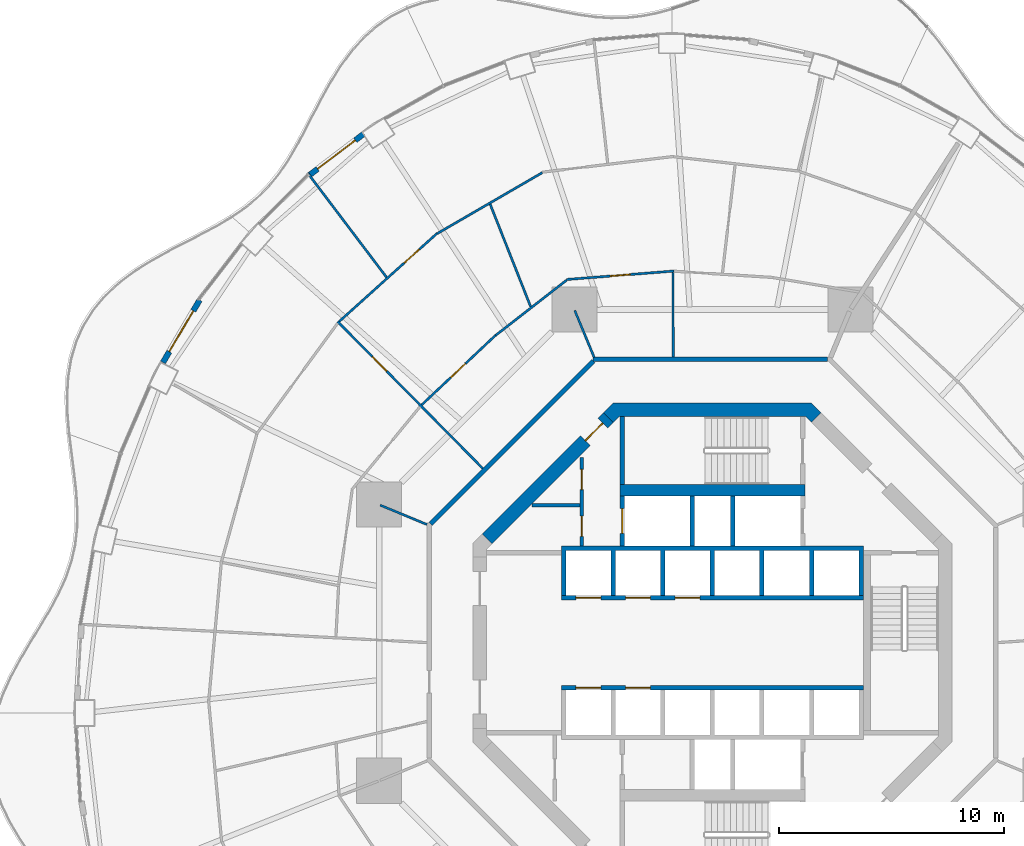
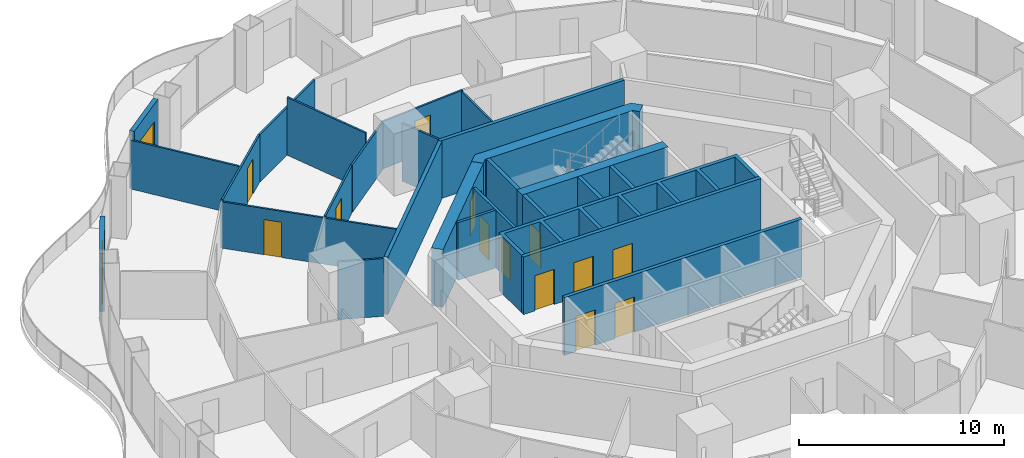
# One storey, part 15 of 20: 27 walls, 15 doors, 15 openings.
"""IFC4 building model written with IfcOpenShell, lengths in metres."""

from ifc_helpers import new_model, si_unit, direction, frame, frame_2d, origin, place, context, subcontext, project, spatial, polyline, rectangle, outline, extrude, material, layer, layer_set, type_object, element, fill, save


model = new_model("IFC4")

# Units and contexts
model_context = context("Model", 3, precision=1e-05, world=origin(), true_north=direction((0.0, 1.0)))
body_context = subcontext(model_context, "Body", "Model", "MODEL_VIEW")
ifc_project = project(units=[si_unit("LENGTHUNIT", "METRE"), si_unit("AREAUNIT", "SQUARE_METRE"), si_unit("VOLUMEUNIT", "CUBIC_METRE"), si_unit("PLANEANGLEUNIT", "RADIAN"), si_unit("MASSUNIT", "GRAM", prefix="KILO")], contexts=[model_context])

# Site, building, storey
site_placement = place(None, origin())
site = spatial("IfcSite", under=ifc_project, at=site_placement, CompositionType="ELEMENT")
building_placement = place(site_placement, origin())
building = spatial("IfcBuilding", under=site, at=building_placement, Name="Nagisa Residences", CompositionType="ELEMENT")
storey_placement = place(building_placement, frame((0.0, 0.0, 145.5)))
storey = spatial("IfcBuildingStorey", under=building, at=storey_placement, Name="L36", CompositionType="ELEMENT", Elevation=145.5)

# Walls
ifc_material_1 = material(Name="Gypsum board on steel studs", Category="steel")
ifc_layer_1 = layer(ifc_material_1, 0.199951171875)
ifc_layer_set_1 = layer_set([ifc_layer_1], Name="Apartment entry wall EI60 200")
wall_type_1 = type_object("IfcWallType", Name="Apartment entry wall EI60 200", PredefinedType="PARTITIONING", material=ifc_layer_set_1)
wall_1_placement = place(storey_placement, frame((5.1044921875, 12.564697265625, 0.0), z_axis=(0.0, 0.0, 1.0), x_axis=(-1.0, 0.0, 0.0)))
element("IfcWall", 1, at=wall_1_placement, inside=storey, type_object=wall_type_1, Name="wall:L36:u06", PredefinedType="PARTITIONING", context=body_context, shape_type="SweptSolid", body=[
    extrude(rectangle(XDim=10.408935546875, YDim=0.199951171875, at=frame_2d((5.20458984375, 0.0))), origin(), (0.0, 0.0, 1.0), 3.43994140625),
])
wall_2_placement = place(storey_placement, frame((-5.275146484375, 12.494140625, 0.0), z_axis=(0.0, 0.0, 1.0), x_axis=(-0.707106781187, -0.707106781187, 0.0)))
element("IfcWall", 2, at=wall_2_placement, inside=storey, type_object=wall_type_1, Name="wall:L36:u07", PredefinedType="PARTITIONING", context=body_context, shape_type="SweptSolid", body=[
    extrude(rectangle(XDim=10.209228515625, YDim=0.199951171875, at=frame_2d((5.1044921875, 0.0))), origin(), (0.0, 0.0, 1.0), 3.43994140625),
])
ifc_material_2 = material(Name="Gypsum board on steel studs", Category="steel")
ifc_layer_2 = layer(ifc_material_2, 0.10009765625)
ifc_layer_set_2 = layer_set([ifc_layer_2], Name="Apartment partition 100")
wall_type_2 = type_object("IfcWallType", Name="Apartment partition 100", PredefinedType="PARTITIONING", material=ifc_layer_set_2)
wall_3_placement = place(storey_placement, frame((-1.7353515625, 12.664794921875, 0.0), z_axis=(0.0, 0.0, 1.0), x_axis=(-0.004470314905, 0.999990008092, 0.0)))
element("IfcWall", 3, at=wall_3_placement, inside=storey, type_object=wall_type_2, Name="wall:L36:u34", PredefinedType="PARTITIONING", context=body_context, shape_type="SweptSolid", body=[
    extrude(rectangle(XDim=3.768310546875, YDim=0.10009765625, at=frame_2d((1.88427734375, 0.0))), origin(), (0.0, 0.0, 1.0), 2.756103515625),
])

# Wall, opening, door
wall_4_placement = place(storey_placement, frame((-1.70263671875, 16.487060546875, 0.0), z_axis=(0.0, 0.0, 1.0), x_axis=(-0.996909618175, -0.078557069641, 0.0)))
wall_4 = element("IfcWall", 4, at=wall_4_placement, inside=storey, type_object=wall_type_2, Name="wall:L36:u35", PredefinedType="PARTITIONING", context=body_context, shape_type="SweptSolid", body=[
    extrude(rectangle(XDim=4.7861328125, YDim=0.10009765625, at=frame_2d((2.39306640625, 0.0))), origin(), (0.0, 0.0, 1.0), 2.827880859375),
])
opening_1_placement = place(wall_4_placement, frame((1.943115234375, 0.0, 0.0)))
opening_1 = element("IfcOpeningElement", 5, at=opening_1_placement, cuts=wall_4, Name="Opening L36-U46", PredefinedType="OPENING", context=body_context, shape_type="SweptSolid", body=[
    extrude(rectangle(XDim=0.89990234375, YDim=2.10009765625, at=frame_2d((0.449951171875, 1.050048828125))), frame((0.0, 0.06005859375, 0.0), z_axis=(0.0, -1.0, 0.0), x_axis=(1.0, 0.0, 0.0)), (0.0, 0.0, 1.0), 0.1201171875),
])
ifc_material_3 = material(Name="Timber door set", Category="wood")
door_type_1 = type_object("IfcDoorType", Name="Apartment door 900x2100", OperationType="NOTDEFINED", PredefinedType="DOOR", material=ifc_material_3)
door_1_placement = place(opening_1_placement, origin())
door_1 = element("IfcDoor", 6, at=door_1_placement, inside=storey, type_object=door_type_1, Name="Door to laundry, Apartment 36B", OperationType="SINGLE_SWING_RIGHT", OverallHeight=2.10009765625, OverallWidth=0.89990234375, PredefinedType="DOOR", context=body_context, shape_type="SweptSolid", body=[
    extrude(rectangle(XDim=0.89990234375, YDim=2.10009765625, at=frame_2d((0.449951171875, 1.050048828125))), frame((0.0, 0.02490234375, 0.0), z_axis=(0.0, -1.0, 0.0), x_axis=(1.0, 0.0, 0.0)), (0.0, 0.0, 1.0), 0.050048828125),
])
fill(opening_1, door_1)

# Walls
wall_5_placement = place(storey_placement, frame((-5.24267578125, 12.6572265625, 0.0), z_axis=(0.0, 0.0, 1.0), x_axis=(-0.382719158442, 0.923864733477, 0.0)))
element("IfcWall", 7, at=wall_5_placement, inside=storey, type_object=wall_type_2, Name="wall:L36:u38", PredefinedType="PARTITIONING", context=body_context, shape_type="SweptSolid", body=[
    extrude(rectangle(XDim=2.25, YDim=0.10009765625, at=frame_2d((1.125, 0.0))), origin(), (0.0, 0.0, 1.0), 3.43994140625),
])
wall_6_placement = place(storey_placement, frame((-6.46337890625, 16.084228515625, 0.0), z_axis=(0.0, 0.0, 1.0), x_axis=(-0.789457442969, -0.613805299538, 0.0)))
element("IfcWall", 8, at=wall_6_placement, inside=storey, type_object=wall_type_2, Name="wall:L36:u39", PredefinedType="PARTITIONING", context=body_context, shape_type="SweptSolid", body=[
    extrude(rectangle(XDim=3.997314453125, YDim=0.10009765625, at=frame_2d((1.99853515625, 0.0))), origin(), (0.0, 0.0, 1.0), 2.827880859375),
])
wall_7_placement = place(storey_placement, frame((-7.54296875, 20.8525390625, 0.0), z_axis=(0.0, 0.0, 1.0), x_axis=(-0.865086194899, -0.501623240485, 0.0)))
element("IfcWall", 9, at=wall_7_placement, inside=storey, type_object=wall_type_2, Name="wall:L36:u40", PredefinedType="PARTITIONING", context=body_context, shape_type="SweptSolid", body=[
    extrude(rectangle(XDim=5.39306640625, YDim=0.10009765625, at=frame_2d((2.696533203125, 0.0))), origin(), (0.0, 0.0, 1.0), 2.827880859375),
])
wall_8_placement = place(storey_placement, frame((-8.0595703125, 14.904052734375, 0.0), z_axis=(0.0, 0.0, 1.0), x_axis=(-0.367532408503, 0.930010714293, 0.0)))
element("IfcWall", 10, at=wall_8_placement, inside=storey, type_object=wall_type_2, Name="wall:L36:u41", PredefinedType="PARTITIONING", context=body_context, shape_type="SweptSolid", body=[
    extrude(rectangle(XDim=4.8916015625, YDim=0.10009765625, at=frame_2d((2.44580078125, 0.0))), origin(), (0.0, 0.0, 1.0), 3.43994140625),
])

# Wall, opening, door
wall_9_placement = place(storey_placement, frame((-9.6220703125, 13.63427734375, 0.0), z_axis=(0.0, 0.0, 1.0), x_axis=(-0.727710859679, -0.685884031528, 0.0)))
wall_9 = element("IfcWall", 11, at=wall_9_placement, inside=storey, type_object=wall_type_2, Name="wall:L36:u42", PredefinedType="PARTITIONING", context=body_context, shape_type="SweptSolid", body=[
    extrude(rectangle(XDim=4.500244140625, YDim=0.10009765625, at=frame_2d((2.25, 0.0))), origin(), (0.0, 0.0, 1.0), 2.827880859375),
])
opening_2_placement = place(wall_9_placement, frame((1.8251953125, 0.0, 0.0)))
opening_2 = element("IfcOpeningElement", 12, at=opening_2_placement, cuts=wall_9, Name="Opening L36-U42", PredefinedType="OPENING", context=body_context, shape_type="SweptSolid", body=[
    extrude(rectangle(XDim=0.89990234375, YDim=2.10009765625, at=frame_2d((0.449951171875, 1.050048828125))), frame((0.0, 0.06005859375, 0.0), z_axis=(0.0, -1.0, 0.0), x_axis=(1.0, 0.0, 0.0)), (0.0, 0.0, 1.0), 0.1201171875),
])
door_2_placement = place(opening_2_placement, origin())
door_2 = element("IfcDoor", 13, at=door_2_placement, inside=storey, type_object=door_type_1, Name="Door to laundry, Apartment 36B", OperationType="SINGLE_SWING_RIGHT", OverallHeight=2.10009765625, OverallWidth=0.89990234375, PredefinedType="DOOR", context=body_context, shape_type="SweptSolid", body=[
    extrude(rectangle(XDim=0.89990234375, YDim=2.10009765625, at=frame_2d((0.449951171875, 1.050048828125))), frame((0.0, 0.02490234375, 0.0), z_axis=(0.0, -1.0, 0.0), x_axis=(1.0, 0.0, 0.0)), (0.0, 0.0, 1.0), 0.050048828125),
])
fill(opening_2, door_2)

wall_10_placement = place(storey_placement, frame((-12.214599609375, 18.155517578125, 0.0), z_axis=(0.0, 0.0, 1.0), x_axis=(-0.743159001815, -0.669114861606, 0.0)))
wall_10 = element("IfcWall", 14, at=wall_10_placement, inside=storey, type_object=wall_type_2, Name="wall:L36:u43", PredefinedType="PARTITIONING", context=body_context, shape_type="SweptSolid", body=[
    extrude(rectangle(XDim=5.83935546875, YDim=0.10009765625, at=frame_2d((2.919677734375, 0.0))), origin(), (0.0, 0.0, 1.0), 2.827880859375),
])
opening_3_placement = place(wall_10_placement, frame((1.059814453125, 0.0, 0.0)))
opening_3 = element("IfcOpeningElement", 15, at=opening_3_placement, cuts=wall_10, Name="Opening L36-U41", PredefinedType="OPENING", context=body_context, shape_type="SweptSolid", body=[
    extrude(rectangle(XDim=0.89990234375, YDim=2.10009765625, at=frame_2d((0.449951171875, 1.050048828125))), frame((0.0, 0.06005859375, 0.0), z_axis=(0.0, -1.0, 0.0), x_axis=(1.0, 0.0, 0.0)), (0.0, 0.0, 1.0), 0.1201171875),
])
door_3_placement = place(opening_3_placement, frame((0.89990234375, 0.0, 0.0), x_axis=(-1.0, 0.0, 0.0)))
door_3 = element("IfcDoor", 16, at=door_3_placement, inside=storey, type_object=door_type_1, Name="Door to living room, Apartment 36B", OperationType="SINGLE_SWING_RIGHT", OverallHeight=2.10009765625, OverallWidth=0.89990234375, PredefinedType="DOOR", context=body_context, shape_type="SweptSolid", body=[
    extrude(rectangle(XDim=0.89990234375, YDim=2.10009765625, at=frame_2d((0.449951171875, 1.050048828125))), frame((0.0, 0.02490234375, 0.0), z_axis=(0.0, -1.0, 0.0), x_axis=(1.0, 0.0, 0.0)), (0.0, 0.0, 1.0), 0.050048828125),
])
fill(opening_3, door_3)

# Wall
wall_11_placement = place(storey_placement, frame((-14.451904296875, 16.208251953125, 0.0), z_axis=(0.0, 0.0, 1.0), x_axis=(-0.603267974074, 0.797538557975, 0.0)))
element("IfcWall", 17, at=wall_11_placement, inside=storey, type_object=wall_type_2, Name="wall:L36:u44", PredefinedType="PARTITIONING", context=body_context, shape_type="SweptSolid", body=[
    extrude(rectangle(XDim=5.764404296875, YDim=0.10009765625, at=frame_2d((2.88232421875, 0.0))), origin(), (0.0, 0.0, 1.0), 2.905029296875),
])

# Wall, opening, door
wall_12_placement = place(storey_placement, frame((-10.181640625, 7.72900390625, 0.0), z_axis=(0.0, 0.0, 1.0), x_axis=(-0.702927211734, 0.711261790766, 0.0)))
wall_12 = element("IfcWall", 18, at=wall_12_placement, inside=storey, type_object=wall_type_2, Name="wall:L36:u45", PredefinedType="PARTITIONING", context=body_context, shape_type="SweptSolid", body=[
    extrude(rectangle(XDim=9.16845703125, YDim=0.10009765625, at=frame_2d((4.584228515625, 0.0))), origin(), (0.0, 0.0, 1.0), 2.756103515625),
])
opening_4_placement = place(wall_12_placement, frame((6.066650390625, 0.0, 0.0)))
opening_4 = element("IfcOpeningElement", 19, at=opening_4_placement, cuts=wall_12, Name="Opening L36-U40", PredefinedType="OPENING", context=body_context, shape_type="SweptSolid", body=[
    extrude(rectangle(XDim=0.89990234375, YDim=2.10009765625, at=frame_2d((0.449951171875, 1.050048828125))), frame((0.0, 0.06005859375, 0.0), z_axis=(0.0, -1.0, 0.0), x_axis=(1.0, 0.0, 0.0)), (0.0, 0.0, 1.0), 0.1201171875),
])
door_4_placement = place(opening_4_placement, frame((0.89990234375, 0.0, 0.0), x_axis=(-1.0, 0.0, 0.0)))
door_4 = element("IfcDoor", 20, at=door_4_placement, inside=storey, type_object=door_type_1, Name="Door to kitchen, Apartment 36B", OperationType="SINGLE_SWING_LEFT", OverallHeight=2.10009765625, OverallWidth=0.89990234375, PredefinedType="DOOR", context=body_context, shape_type="SweptSolid", body=[
    extrude(rectangle(XDim=0.89990234375, YDim=2.10009765625, at=frame_2d((0.449951171875, 1.050048828125))), frame((0.0, 0.02490234375, 0.0), z_axis=(0.0, -1.0, 0.0), x_axis=(1.0, 0.0, 0.0)), (0.0, 0.0, 1.0), 0.050048828125),
])
fill(opening_4, door_4)

# Wall
wall_13_placement = place(storey_placement, frame((-12.6572265625, 5.24267578125, 0.0), z_axis=(0.0, 0.0, 1.0), x_axis=(-0.923864733477, 0.382719158442, 0.0)))
element("IfcWall", 21, at=wall_13_placement, inside=storey, type_object=wall_type_2, Name="wall:L36:u48", PredefinedType="PARTITIONING", context=body_context, shape_type="SweptSolid", body=[
    extrude(rectangle(XDim=2.25, YDim=0.10009765625, at=frame_2d((1.125, 0.0))), origin(), (0.0, 0.0, 1.0), 3.43994140625),
])

# Wall, opening, door
ifc_material_4 = material(Name="Precast concrete C40/50", Category="concrete")
ifc_layer_3 = layer(ifc_material_4, 0.25)
ifc_layer_set_3 = layer_set([ifc_layer_3], Name="BALCONY DOOR WALL 250")
wall_type_3 = type_object("IfcWallType", Name="BALCONY DOOR WALL 250", PredefinedType="SOLIDWALL", material=ifc_layer_set_3)
wall_14_placement = place(storey_placement, frame((-17.8779296875, 20.738037109375, 0.0), z_axis=(0.0, 0.0, 1.0), x_axis=(0.796022231079, 0.605267385233, 0.0)))
wall_14 = element("IfcWall", 22, at=wall_14_placement, inside=storey, type_object=wall_type_3, Name="wall:L36:bay16", PredefinedType="SOLIDWALL", context=body_context, shape_type="SweptSolid", body=[
    extrude(rectangle(XDim=3.025634765625, YDim=0.25, at=frame_2d((1.5126953125, 0.0))), origin(), (0.0, 0.0, 1.0), 3.43994140625),
])
opening_5_placement = place(wall_14_placement, frame((0.462646484375, 0.0, 0.0)))
opening_5 = element("IfcOpeningElement", 23, at=opening_5_placement, cuts=wall_14, Name="Opening BD-L36-06", PredefinedType="OPENING", context=body_context, shape_type="SweptSolid", body=[
    extrude(rectangle(XDim=2.10009765625, YDim=2.39990234375, at=frame_2d((1.050048828125, 1.199951171875))), frame((0.0, 0.135009765625, 0.0), z_axis=(0.0, -1.0, 0.0), x_axis=(1.0, 0.0, 0.0)), (0.0, 0.0, 1.0), 0.27001953125),
])
ifc_material_5 = material(Name="Aluminium and clear glass", Category="aluminium")
door_type_2 = type_object("IfcDoorType", Name="BALCONY SLIDING DOOR 2100x2400", OperationType="SLIDING_TO_LEFT", PredefinedType="DOOR", material=ifc_material_5)
door_5_placement = place(opening_5_placement, origin())
door_5 = element("IfcDoor", 24, at=door_5_placement, inside=storey, type_object=door_type_2, Name="door:L36:bay16", OperationType="SLIDING_TO_LEFT", OverallHeight=2.39990234375, OverallWidth=2.10009765625, PredefinedType="DOOR", context=body_context, shape_type="SweptSolid", body=[
    extrude(rectangle(XDim=2.10009765625, YDim=2.39990234375, at=frame_2d((1.050048828125, 1.199951171875))), frame((0.0, 0.02490234375, 0.0), z_axis=(0.0, -1.0, 0.0), x_axis=(1.0, 0.0, 0.0)), (0.0, 0.0, 1.0), 0.050048828125),
])
fill(opening_5, door_5)

wall_15_placement = place(storey_placement, frame((-24.368408203125, 12.433837890625, 0.0), z_axis=(0.0, 0.0, 1.0), x_axis=(0.506314982873, 0.862348617508, 0.0)))
wall_15 = element("IfcWall", 25, at=wall_15_placement, inside=storey, type_object=wall_type_3, Name="wall:L36:bay19", PredefinedType="SOLIDWALL", context=body_context, shape_type="SweptSolid", body=[
    extrude(rectangle(XDim=3.20849609375, YDim=0.25, at=frame_2d((1.604248046875, 0.0))), origin(), (0.0, 0.0, 1.0), 3.43994140625),
])
opening_6_placement = place(wall_15_placement, frame((0.55419921875, 0.0, 0.0)))
opening_6 = element("IfcOpeningElement", 26, at=opening_6_placement, cuts=wall_15, Name="Opening BD-L36-07", PredefinedType="OPENING", context=body_context, shape_type="SweptSolid", body=[
    extrude(rectangle(XDim=2.10009765625, YDim=2.39990234375, at=frame_2d((1.050048828125, 1.199951171875))), frame((0.0, 0.135009765625, 0.0), z_axis=(0.0, -1.0, 0.0), x_axis=(1.0, 0.0, 0.0)), (0.0, 0.0, 1.0), 0.27001953125),
])
door_6_placement = place(opening_6_placement, origin())
door_6 = element("IfcDoor", 27, at=door_6_placement, inside=storey, type_object=door_type_2, Name="door:L36:bay19", OperationType="SLIDING_TO_LEFT", OverallHeight=2.39990234375, OverallWidth=2.10009765625, PredefinedType="DOOR", context=body_context, shape_type="SweptSolid", body=[
    extrude(rectangle(XDim=2.10009765625, YDim=2.39990234375, at=frame_2d((1.050048828125, 1.199951171875))), frame((0.0, 0.02490234375, 0.0), z_axis=(0.0, -1.0, 0.0), x_axis=(1.0, 0.0, 0.0)), (0.0, 0.0, 1.0), 0.050048828125),
])
fill(opening_6, door_6)

# Wall, openings, doors
ifc_material_6 = material(Name="Gypsum board on steel studs", Category="steel")
ifc_layer_4 = layer(ifc_material_6, 0.14990234375)
ifc_layer_set_4 = layer_set([ifc_layer_4], Name="Core partition 150")
wall_type_4 = type_object("IfcWallType", Name="Core partition 150", PredefinedType="PARTITIONING", material=ifc_layer_set_4)
wall_16_placement = place(storey_placement, frame((-5.800048828125, 4.300048828125, 0.0), z_axis=(0.0, 0.0, 1.0), x_axis=(0.0, 1.0, 0.0)))
wall_16 = element("IfcWall", 28, at=wall_16_placement, inside=storey, type_object=wall_type_4, Name="wall:L36:NWp", PredefinedType="PARTITIONING", context=body_context, shape_type="SweptSolid", body=[
    extrude(rectangle(XDim=3.927001953125, YDim=0.14990234375, at=frame_2d((1.96337890625, 0.0))), origin(), (0.0, 0.0, 1.0), 3.43994140625),
])
opening_7_placement = place(wall_16_placement, frame((0.41259765625, 0.0, 0.0)))
opening_7 = element("IfcOpeningElement", 29, at=opening_7_placement, cuts=wall_16, Name="Opening L36-C12", PredefinedType="OPENING", context=body_context, shape_type="SweptSolid", body=[
    extrude(rectangle(XDim=0.89990234375, YDim=2.10009765625, at=frame_2d((0.449951171875, 1.050048828125))), frame((0.0, 0.0849609375, 0.0), z_axis=(0.0, -1.0, 0.0), x_axis=(1.0, 0.0, 0.0)), (0.0, 0.0, 1.0), 0.169921875),
])
opening_8_placement = place(wall_16_placement, frame((2.488525390625, 0.0, 0.0)))
opening_8 = element("IfcOpeningElement", 30, at=opening_8_placement, cuts=wall_16, Name="Opening L36-C13", PredefinedType="OPENING", context=body_context, shape_type="SweptSolid", body=[
    extrude(rectangle(XDim=0.89990234375, YDim=2.10009765625, at=frame_2d((0.449951171875, 1.050048828125))), frame((0.0, 0.0849609375, 0.0), z_axis=(0.0, -1.0, 0.0), x_axis=(1.0, 0.0, 0.0)), (0.0, 0.0, 1.0), 0.169921875),
])
ifc_material_7 = material(Name="Steel fire door", Category="steel")
door_type_3 = type_object("IfcDoorType", Name="Fire door EI30 900x2100 single swing", OperationType="NOTDEFINED", PredefinedType="DOOR", material=ifc_material_7)
door_7_placement = place(opening_7_placement, origin())
door_7 = element("IfcDoor", 31, at=door_7_placement, inside=storey, type_object=door_type_3, Name="Linen store door L36", OperationType="SINGLE_SWING_RIGHT", OverallHeight=2.10009765625, OverallWidth=0.89990234375, PredefinedType="DOOR", context=body_context, shape_type="SweptSolid", body=[
    extrude(rectangle(XDim=0.89990234375, YDim=2.10009765625, at=frame_2d((0.449951171875, 1.050048828125))), frame((0.0, 0.02490234375, 0.0), z_axis=(0.0, -1.0, 0.0), x_axis=(1.0, 0.0, 0.0)), (0.0, 0.0, 1.0), 0.050048828125),
])
fill(opening_7, door_7)
door_8_placement = place(opening_8_placement, origin())
door_8 = element("IfcDoor", 32, at=door_8_placement, inside=storey, type_object=door_type_3, Name="Refuse room door L36", OperationType="SINGLE_SWING_RIGHT", OverallHeight=2.10009765625, OverallWidth=0.89990234375, PredefinedType="DOOR", context=body_context, shape_type="SweptSolid", body=[
    extrude(rectangle(XDim=0.89990234375, YDim=2.10009765625, at=frame_2d((0.449951171875, 1.050048828125))), frame((0.0, 0.02490234375, 0.0), z_axis=(0.0, -1.0, 0.0), x_axis=(1.0, 0.0, 0.0)), (0.0, 0.0, 1.0), 0.050048828125),
])
fill(opening_8, door_8)

# Wall
wall_17_placement = place(storey_placement, frame((-8.0009765625, 6.10009765625, 0.0), z_axis=(0.0, 0.0, 1.0), x_axis=(1.0, 0.0, 0.0)))
element("IfcWall", 33, at=wall_17_placement, inside=storey, type_object=wall_type_4, Name="wall:L36:NWq", PredefinedType="PARTITIONING", context=body_context, shape_type="SweptSolid", body=[
    extrude(rectangle(XDim=2.1259765625, YDim=0.14990234375, at=frame_2d((1.06298828125, 0.0))), origin(), (0.0, 0.0, 1.0), 3.43994140625),
])

# Wall, opening, door
ifc_material_8 = material(Name="Concrete C60", Category="concrete")
ifc_layer_5 = layer(ifc_material_8, 0.60009765625)
ifc_layer_set_5 = layer_set([ifc_layer_5], Name="Core shear wall 600")
wall_type_5 = type_object("IfcWallType", Name="Core shear wall 600", PredefinedType="SHEAR", material=ifc_layer_set_5)
wall_18_placement = place(storey_placement, frame((-4.613037109375, 9.98828125, 0.0), z_axis=(0.0, 0.0, 1.0), x_axis=(-0.707106781187, -0.707106781187, 0.0)))
wall_18 = element("IfcWall", 34, at=wall_18_placement, inside=storey, type_object=wall_type_5, Name="wall:L36:core:flat3", PredefinedType="SHEAR", context=body_context, shape_type="SweptSolid", body=[
    extrude(rectangle(XDim=7.601806640625, YDim=0.60009765625, at=frame_2d((3.80078125, 0.0))), origin(), (0.0, 0.0, 1.0), 3.43994140625),
])
opening_9_placement = place(wall_18_placement, frame((0.350830078125, 0.0, 0.0)))
opening_9 = element("IfcOpeningElement", 35, at=opening_9_placement, cuts=wall_18, Name="Opening L36-C20", PredefinedType="OPENING", context=body_context, shape_type="SweptSolid", body=[
    extrude(rectangle(XDim=1.10009765625, YDim=2.10009765625, at=frame_2d((0.550048828125, 1.050048828125))), frame((0.0, 0.31005859375, 0.0), z_axis=(0.0, -1.0, 0.0), x_axis=(1.0, 0.0, 0.0)), (0.0, 0.0, 1.0), 0.6201171875),
])
ifc_material_9 = material(Name="Steel fire door", Category="steel")
door_type_4 = type_object("IfcDoorType", Name="Fire door EI60 1100x2100 single swing", OperationType="NOTDEFINED", PredefinedType="DOOR", material=ifc_material_9)
door_9_placement = place(opening_9_placement, origin())
door_9 = element("IfcDoor", 36, at=door_9_placement, inside=storey, type_object=door_type_4, Name="Service lobby door L36", OperationType="SINGLE_SWING_LEFT", OverallHeight=2.10009765625, OverallWidth=1.10009765625, PredefinedType="DOOR", context=body_context, shape_type="SweptSolid", body=[
    extrude(rectangle(XDim=1.10009765625, YDim=2.10009765625, at=frame_2d((0.550048828125, 1.050048828125))), frame((0.0, 0.02490234375, 0.0), z_axis=(0.0, -1.0, 0.0), x_axis=(1.0, 0.0, 0.0)), (0.0, 0.0, 1.0), 0.050048828125),
])
fill(opening_9, door_9)

# Wall
wall_19_placement = place(storey_placement, origin())
element("IfcWall", 37, at=wall_19_placement, inside=storey, type_object=wall_type_5, Name="wall:L36:core:flat2", PredefinedType="SHEAR", context=body_context, shape_type="SweptSolid", body=[
    extrude(outline(polyline([(-4.15234375, 10.024658203125), (-4.40087890625, 9.776123046875), (-4.8251953125, 10.200439453125), (-4.40087890625, 10.62451171875), (4.40087890625, 10.62451171875), (4.8251953125, 10.200439453125), (4.40087890625, 9.776123046875), (4.15234375, 10.024658203125), (-4.15234375, 10.024658203125)])), origin(), (0.0, 0.0, 1.0), 3.43994140625),
])

# Wall, opening, door
ifc_material_10 = material(Name="Concrete C60", Category="concrete")
ifc_layer_6 = layer(ifc_material_10, 0.199951171875)
ifc_layer_set_6 = layer_set([ifc_layer_6], Name="Lift shaft wall 200")
wall_type_6 = type_object("IfcWallType", Name="Lift shaft wall 200", PredefinedType="SOLIDWALL", material=ifc_layer_set_6)
wall_20_placement = place(storey_placement, frame((-4.0, 4.300048828125, 0.0), z_axis=(0.0, 0.0, 1.0), x_axis=(0.0, 1.0, 0.0)))
wall_20 = element("IfcWall", 38, at=wall_20_placement, inside=storey, type_object=wall_type_6, Name="wall:L36:Nb4", PredefinedType="SOLIDWALL", context=body_context, shape_type="SweptSolid", body=[
    extrude(rectangle(XDim=2.199951171875, YDim=0.199951171875, at=frame_2d((1.10009765625, 0.0))), origin(), (0.0, 0.0, 1.0), 3.43994140625),
])
opening_10_placement = place(wall_20_placement, frame((0.550048828125, 0.0, 0.0)))
opening_10 = element("IfcOpeningElement", 39, at=opening_10_placement, cuts=wall_20, Name="Opening L36-C08", PredefinedType="OPENING", context=body_context, shape_type="SweptSolid", body=[
    extrude(rectangle(XDim=1.10009765625, YDim=2.10009765625, at=frame_2d((0.550048828125, 1.050048828125))), frame((0.0, 0.10986328125, 0.0), z_axis=(0.0, -1.0, 0.0), x_axis=(1.0, 0.0, 0.0)), (0.0, 0.0, 1.0), 0.219970703125),
])
ifc_material_11 = material(Name="Stainless steel", Category="steel")
door_type_5 = type_object("IfcDoorType", Name="Lift landing door 1100x2100", OperationType="DOUBLE_DOOR_SLIDING", PredefinedType="DOOR", material=ifc_material_11)
door_10_placement = place(opening_10_placement, origin())
door_10 = element("IfcDoor", 40, at=door_10_placement, inside=storey, type_object=door_type_5, Name="Landing door SV L36", OperationType="DOUBLE_DOOR_SLIDING", OverallHeight=2.10009765625, OverallWidth=1.10009765625, PredefinedType="DOOR", context=body_context, shape_type="SweptSolid", body=[
    extrude(rectangle(XDim=1.10009765625, YDim=2.10009765625, at=frame_2d((0.550048828125, 1.050048828125))), frame((0.0, 0.02490234375, 0.0), z_axis=(0.0, -1.0, 0.0), x_axis=(1.0, 0.0, 0.0)), (0.0, 0.0, 1.0), 0.050048828125),
])
fill(opening_10, door_10)

# Wall, openings, doors
wall_21_placement = place(storey_placement, frame((-6.699951171875, 2.0, 0.0), z_axis=(0.0, 0.0, 1.0), x_axis=(1.0, 0.0, 0.0)))
wall_21 = element("IfcWall", 41, at=wall_21_placement, inside=storey, type_object=wall_type_6, Name="wall:L36:Nfront", PredefinedType="SOLIDWALL", context=body_context, shape_type="SweptSolid", body=[
    extrude(rectangle(XDim=13.39990234375, YDim=0.199951171875, at=frame_2d((6.699951171875, 0.0))), origin(), (0.0, 0.0, 1.0), 3.43994140625),
])
opening_11_placement = place(wall_21_placement, frame((0.64990234375, 0.0, 0.0)))
opening_11 = element("IfcOpeningElement", 42, at=opening_11_placement, cuts=wall_21, Name="Opening L36-C01", PredefinedType="OPENING", context=body_context, shape_type="SweptSolid", body=[
    extrude(rectangle(XDim=1.10009765625, YDim=2.10009765625, at=frame_2d((0.550048828125, 1.050048828125))), frame((0.0, 0.10986328125, 0.0), z_axis=(0.0, -1.0, 0.0), x_axis=(1.0, 0.0, 0.0)), (0.0, 0.0, 1.0), 0.219970703125),
])
opening_12_placement = place(wall_21_placement, frame((2.85009765625, 0.0, 0.0)))
opening_12 = element("IfcOpeningElement", 43, at=opening_12_placement, cuts=wall_21, Name="Opening L36-C02", PredefinedType="OPENING", context=body_context, shape_type="SweptSolid", body=[
    extrude(rectangle(XDim=1.10009765625, YDim=2.10009765625, at=frame_2d((0.550048828125, 1.050048828125))), frame((0.0, 0.10986328125, 0.0), z_axis=(0.0, -1.0, 0.0), x_axis=(1.0, 0.0, 0.0)), (0.0, 0.0, 1.0), 0.219970703125),
])
opening_13_placement = place(wall_21_placement, frame((5.050048828125, 0.0, 0.0)))
opening_13 = element("IfcOpeningElement", 44, at=opening_13_placement, cuts=wall_21, Name="Opening L36-C03", PredefinedType="OPENING", context=body_context, shape_type="SweptSolid", body=[
    extrude(rectangle(XDim=1.10009765625, YDim=2.10009765625, at=frame_2d((0.550048828125, 1.050048828125))), frame((0.0, 0.10986328125, 0.0), z_axis=(0.0, -1.0, 0.0), x_axis=(1.0, 0.0, 0.0)), (0.0, 0.0, 1.0), 0.219970703125),
])
door_11_placement = place(opening_11_placement, origin())
door_11 = element("IfcDoor", 45, at=door_11_placement, inside=storey, type_object=door_type_5, Name="Landing door A1 L36", OperationType="DOUBLE_DOOR_SLIDING", OverallHeight=2.10009765625, OverallWidth=1.10009765625, PredefinedType="DOOR", context=body_context, shape_type="SweptSolid", body=[
    extrude(rectangle(XDim=1.10009765625, YDim=2.10009765625, at=frame_2d((0.550048828125, 1.050048828125))), frame((0.0, 0.02490234375, 0.0), z_axis=(0.0, -1.0, 0.0), x_axis=(1.0, 0.0, 0.0)), (0.0, 0.0, 1.0), 0.050048828125),
])
fill(opening_11, door_11)
door_12_placement = place(opening_12_placement, origin())
door_12 = element("IfcDoor", 46, at=door_12_placement, inside=storey, type_object=door_type_5, Name="Landing door A2 L36", OperationType="DOUBLE_DOOR_SLIDING", OverallHeight=2.10009765625, OverallWidth=1.10009765625, PredefinedType="DOOR", context=body_context, shape_type="SweptSolid", body=[
    extrude(rectangle(XDim=1.10009765625, YDim=2.10009765625, at=frame_2d((0.550048828125, 1.050048828125))), frame((0.0, 0.02490234375, 0.0), z_axis=(0.0, -1.0, 0.0), x_axis=(1.0, 0.0, 0.0)), (0.0, 0.0, 1.0), 0.050048828125),
])
fill(opening_12, door_12)
door_13_placement = place(opening_13_placement, origin())
door_13 = element("IfcDoor", 47, at=door_13_placement, inside=storey, type_object=door_type_5, Name="Landing door A3 L36", OperationType="DOUBLE_DOOR_SLIDING", OverallHeight=2.10009765625, OverallWidth=1.10009765625, PredefinedType="DOOR", context=body_context, shape_type="SweptSolid", body=[
    extrude(rectangle(XDim=1.10009765625, YDim=2.10009765625, at=frame_2d((0.550048828125, 1.050048828125))), frame((0.0, 0.02490234375, 0.0), z_axis=(0.0, -1.0, 0.0), x_axis=(1.0, 0.0, 0.0)), (0.0, 0.0, 1.0), 0.050048828125),
])
fill(opening_13, door_13)

wall_22_placement = place(storey_placement, frame((-6.699951171875, -2.0, 0.0), z_axis=(0.0, 0.0, 1.0), x_axis=(1.0, 0.0, 0.0)))
wall_22 = element("IfcWall", 48, at=wall_22_placement, inside=storey, type_object=wall_type_6, Name="wall:L36:Sfront", PredefinedType="SOLIDWALL", context=body_context, shape_type="SweptSolid", body=[
    extrude(rectangle(XDim=13.39990234375, YDim=0.199951171875, at=frame_2d((6.699951171875, 0.0))), origin(), (0.0, 0.0, 1.0), 3.43994140625),
])
opening_14_placement = place(wall_22_placement, frame((0.64990234375, 0.0, 0.0)))
opening_14 = element("IfcOpeningElement", 49, at=opening_14_placement, cuts=wall_22, Name="Opening L36-C04", PredefinedType="OPENING", context=body_context, shape_type="SweptSolid", body=[
    extrude(rectangle(XDim=1.10009765625, YDim=2.10009765625, at=frame_2d((0.550048828125, 1.050048828125))), frame((0.0, 0.10986328125, 0.0), z_axis=(0.0, -1.0, 0.0), x_axis=(1.0, 0.0, 0.0)), (0.0, 0.0, 1.0), 0.219970703125),
])
opening_15_placement = place(wall_22_placement, frame((2.85009765625, 0.0, 0.0)))
opening_15 = element("IfcOpeningElement", 50, at=opening_15_placement, cuts=wall_22, Name="Opening L36-C05", PredefinedType="OPENING", context=body_context, shape_type="SweptSolid", body=[
    extrude(rectangle(XDim=1.10009765625, YDim=2.10009765625, at=frame_2d((0.550048828125, 1.050048828125))), frame((0.0, 0.10986328125, 0.0), z_axis=(0.0, -1.0, 0.0), x_axis=(1.0, 0.0, 0.0)), (0.0, 0.0, 1.0), 0.219970703125),
])
door_14_placement = place(opening_14_placement, origin())
door_14 = element("IfcDoor", 51, at=door_14_placement, inside=storey, type_object=door_type_5, Name="Landing door A4 L36", OperationType="DOUBLE_DOOR_SLIDING", OverallHeight=2.10009765625, OverallWidth=1.10009765625, PredefinedType="DOOR", context=body_context, shape_type="SweptSolid", body=[
    extrude(rectangle(XDim=1.10009765625, YDim=2.10009765625, at=frame_2d((0.550048828125, 1.050048828125))), frame((0.0, 0.02490234375, 0.0), z_axis=(0.0, -1.0, 0.0), x_axis=(1.0, 0.0, 0.0)), (0.0, 0.0, 1.0), 0.050048828125),
])
fill(opening_14, door_14)
door_15_placement = place(opening_15_placement, origin())
door_15 = element("IfcDoor", 52, at=door_15_placement, inside=storey, type_object=door_type_5, Name="Landing door A5 L36", OperationType="DOUBLE_DOOR_SLIDING", OverallHeight=2.10009765625, OverallWidth=1.10009765625, PredefinedType="DOOR", context=body_context, shape_type="SweptSolid", body=[
    extrude(rectangle(XDim=1.10009765625, YDim=2.10009765625, at=frame_2d((0.550048828125, 1.050048828125))), frame((0.0, 0.02490234375, 0.0), z_axis=(0.0, -1.0, 0.0), x_axis=(1.0, 0.0, 0.0)), (0.0, 0.0, 1.0), 0.050048828125),
])
fill(opening_15, door_15)

# Walls
for number, where, z_axis, x_axis, name in (
    (53, (-0.89990234375, 4.300048828125, 0.0), (0.0, 0.0, 1.0), (0.0, 1.0, 0.0), "wall:L36:Nb1"),
    (54, (0.89990234375, 4.300048828125, 0.0), (0.0, 0.0, 1.0), (0.0, 1.0, 0.0), "wall:L36:Nb2"),
):
    element("IfcWall", number, at=place(storey_placement, frame(where, z_axis=z_axis, x_axis=x_axis)), inside=storey, type_object=wall_type_6, Name=name, PredefinedType="SOLIDWALL", context=body_context, shape_type="SweptSolid", body=[
        extrude(rectangle(XDim=2.199951171875, YDim=0.199951171875, at=frame_2d((1.10009765625, 0.0))), origin(), (0.0, 0.0, 1.0), 3.43994140625),
    ])
wall_23_placement = place(storey_placement, origin())
element("IfcWall", 55, at=wall_23_placement, inside=storey, type_object=wall_type_6, Name="wall:L36:Nback", PredefinedType="SOLIDWALL", context=body_context, shape_type="SweptSolid", body=[
    extrude(outline(polyline([(-6.5, 2.10009765625), (-6.699951171875, 2.10009765625), (-6.699951171875, 4.300048828125), (6.699951171875, 4.300048828125), (6.699951171875, 2.10009765625), (6.5, 2.10009765625), (6.5, 4.10009765625), (4.5, 4.10009765625), (4.5, 2.10009765625), (4.300048828125, 2.10009765625), (4.300048828125, 4.10009765625), (2.300048828125, 4.10009765625), (2.300048828125, 2.10009765625), (2.10009765625, 2.10009765625), (2.10009765625, 4.10009765625), (0.10009765625, 4.10009765625), (0.10009765625, 2.10009765625), (-0.10009765625, 2.10009765625), (-0.10009765625, 4.10009765625), (-2.10009765625, 4.10009765625), (-2.10009765625, 2.10009765625), (-2.300048828125, 2.10009765625), (-2.300048828125, 4.10009765625), (-4.300048828125, 4.10009765625), (-4.300048828125, 2.10009765625), (-4.5, 2.10009765625), (-4.5, 4.10009765625), (-6.5, 4.10009765625), (-6.5, 2.10009765625)])), origin(), (0.0, 0.0, 1.0), 3.43994140625),
])
ifc_material_12 = material(Name="Concrete C60", Category="concrete")
ifc_layer_7 = layer(ifc_material_12, 0.199951171875)
ifc_layer_set_7 = layer_set([ifc_layer_7], Name="Stair enclosure wall 200")
wall_type_7 = type_object("IfcWallType", Name="Stair enclosure wall 200", PredefinedType="SOLIDWALL", material=ifc_layer_set_7)
wall_24_placement = place(storey_placement, origin())
element("IfcWall", 56, at=wall_24_placement, inside=storey, type_object=wall_type_7, Name="wall:L36:SN_w", PredefinedType="SOLIDWALL", context=body_context, shape_type="SweptSolid", body=[
    extrude(outline(polyline([(-3.89990234375, 7.024658203125), (-4.10009765625, 7.024658203125), (-4.10009765625, 10.024658203125), (-3.89990234375, 10.024658203125), (-3.89990234375, 7.024658203125)])), origin(), (0.0, 0.0, 1.0), 3.43994140625),
])
wall_25_placement = place(storey_placement, origin())
element("IfcWall", 57, at=wall_25_placement, inside=storey, type_object=wall_type_7, Name="wall:L36:SN_s", PredefinedType="SOLIDWALL", context=body_context, shape_type="SweptSolid", body=[
    extrude(outline(polyline([(4.10009765625, 6.5), (-4.10009765625, 6.5), (-4.10009765625, 7.024658203125), (4.10009765625, 7.024658203125), (4.10009765625, 6.5)])), origin(), (0.0, 0.0, 1.0), 3.43994140625),
])

save(model, "model.ifc")
